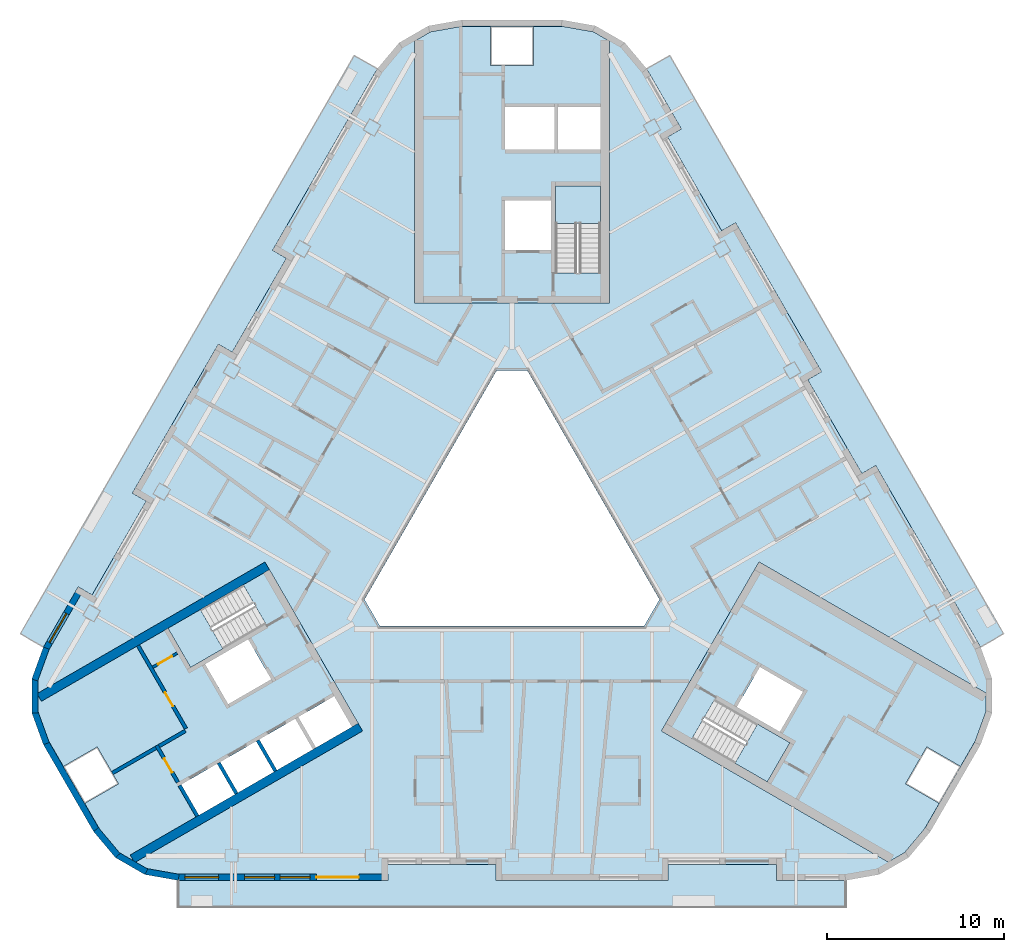
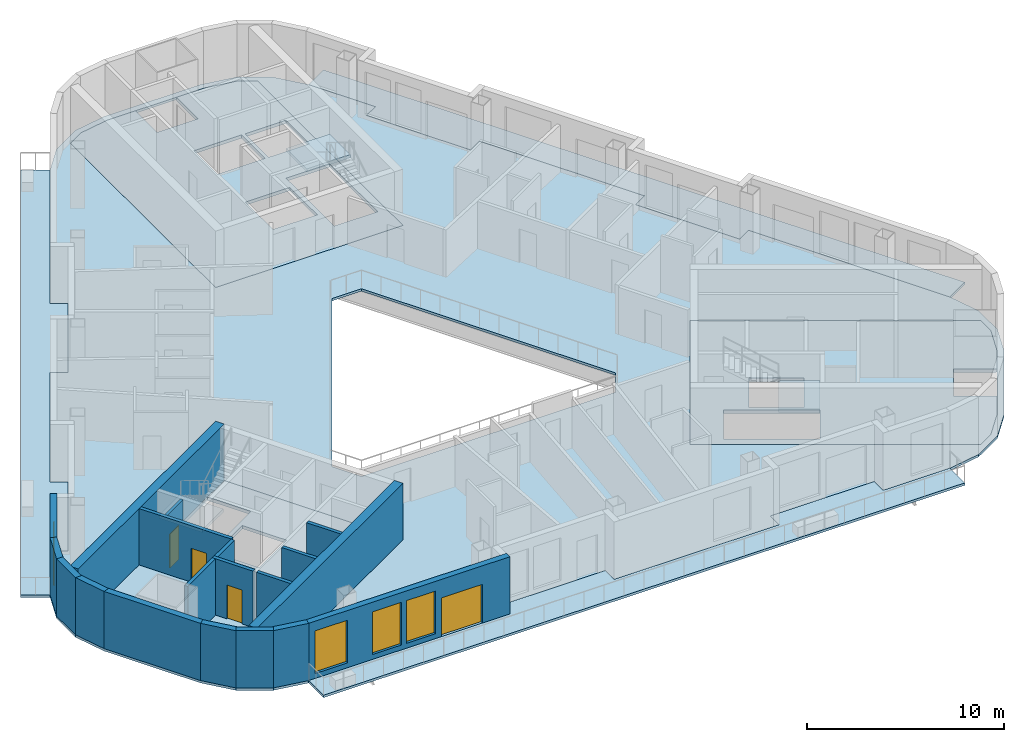
# One storey, part 2 of 14: 19 walls, 10 slabs, 4 doors, 4 windows, 8 openings, 3 elements without a shape of their own.
"""IFC4 building model written with IfcOpenShell, lengths in metres."""

from ifc_helpers import new_model, si_unit, direction, frame, frame_2d, origin, place, context, subcontext, project, spatial, polyline, rectangle, outline, extrude, material, layer, layer_set, type_object, element, fill, aggregate, save


model = new_model("IFC4")

# Units and contexts
model_context = context("Model", 3, precision=1e-05, world=origin(), true_north=direction((0.0, 1.0)))
body_context = subcontext(model_context, "Body", "Model", "MODEL_VIEW")
ifc_project = project(units=[si_unit("LENGTHUNIT", "METRE"), si_unit("AREAUNIT", "SQUARE_METRE"), si_unit("VOLUMEUNIT", "CUBIC_METRE"), si_unit("PLANEANGLEUNIT", "RADIAN"), si_unit("MASSUNIT", "GRAM", prefix="KILO")], contexts=[model_context])

# Site, building, storey
site_placement = place(None, origin())
site = spatial("IfcSite", under=ifc_project, at=site_placement, CompositionType="ELEMENT")
building_placement = place(site_placement, origin())
building = spatial("IfcBuilding", under=site, at=building_placement, Name="Apuvela Tower Hotel", CompositionType="ELEMENT")
storey_placement = place(building_placement, frame((0.0, 0.0, 205.800048828125)))
storey = spatial("IfcBuildingStorey", under=building, at=storey_placement, Name="L50", CompositionType="ELEMENT", Elevation=205.800048828125)

# Slabs
ifc_material_1 = material(Name="Concrete C50/60", Category="concrete")
ifc_layer_1 = layer(ifc_material_1, 0.199951171875)
ifc_layer_set_1 = layer_set([ifc_layer_1], Name="COR-FLOOR-200")
slab_type_1 = type_object("IfcSlabType", Name="COR-FLOOR-200", PredefinedType="FLOOR", material=ifc_layer_set_1)
slab_1_placement = place(storey_placement, frame((0.0, 0.0, -0.199951171875)))
element("IfcSlab", 1, at=slab_1_placement, inside=storey, type_object=slab_type_1, Name="Core floor N", PredefinedType="FLOOR", context=body_context, shape_type="SweptSolid", body=[
    extrude(outline(polyline([(5.5, 27.668212890625), (4.588623046875, 28.1943359375), (2.85498046875, 28.5), (1.199951171875, 28.5), (1.199951171875, 26.300048828125), (-1.199951171875, 26.300048828125), (-1.199951171875, 28.5), (-2.85498046875, 28.5), (-4.588623046875, 28.1943359375), (-5.5, 27.668212890625), (-5.5, 12.89990234375), (5.5, 12.89990234375), (5.5, 27.668212890625)]), holes=[polyline([(5.0, 14.60595703125), (2.449951171875, 14.60595703125), (2.449951171875, 19.5), (5.0, 19.5), (5.0, 14.60595703125)]), polyline([(2.199951171875, 15.89990234375), (-0.39990234375, 15.89990234375), (-0.39990234375, 18.699951171875), (2.199951171875, 18.699951171875), (2.199951171875, 15.89990234375)]), polyline([(5.0, 21.550048828125), (2.60009765625, 21.550048828125), (2.60009765625, 23.949951171875), (5.0, 23.949951171875), (5.0, 21.550048828125)]), polyline([(2.39990234375, 21.550048828125), (-0.39990234375, 21.550048828125), (-0.39990234375, 23.949951171875), (2.39990234375, 23.949951171875), (2.39990234375, 21.550048828125)])]), origin(), (0.0, 0.0, 1.0), 0.199951171875),
])
slab_2_placement = place(storey_placement, frame((0.0, 0.0, -0.199951171875)))
element("IfcSlab", 2, at=slab_2_placement, inside=storey, type_object=slab_type_1, Name="Core floor SW", PredefinedType="FLOOR", context=body_context, shape_type="SweptSolid", body=[
    extrude(outline(polyline([(-26.711181640625, -9.07080078125), (-26.711181640625, -10.123291015625), (-26.109375, -11.77734375), (-25.28173828125, -13.210693359375), (-23.37646484375, -12.11083984375), (-22.176513671875, -14.189208984375), (-24.081787109375, -15.289306640625), (-23.254150390625, -16.72265625), (-22.122802734375, -18.071044921875), (-21.211181640625, -18.59716796875), (-8.421630859375, -11.213134765625), (-13.921630859375, -1.68701171875), (-26.711181640625, -9.07080078125)]), holes=[polyline([(-10.01806640625, -9.248046875), (-9.01806640625, -10.97998046875), (-11.044677734375, -12.150146484375), (-12.044677734375, -10.418212890625), (-10.01806640625, -9.248046875)]), polyline([(-14.244384765625, -11.68798828125), (-12.2177734375, -10.51806640625), (-11.2177734375, -12.25), (-13.244384765625, -13.420166015625), (-14.244384765625, -11.68798828125)]), polyline([(-19.387451171875, -5.419921875), (-15.149169921875, -2.972900390625), (-13.874267578125, -5.18115234375), (-18.112548828125, -7.628173828125), (-19.387451171875, -5.419921875)]), polyline([(-14.869873046875, -6.044677734375), (-13.56982421875, -8.29638671875), (-15.99462890625, -9.6962890625), (-17.294677734375, -7.444580078125), (-14.869873046875, -6.044677734375)]), polyline([(-16.444091796875, -12.9580078125), (-14.41748046875, -11.7880859375), (-13.41748046875, -13.52001953125), (-15.444091796875, -14.690185546875), (-16.444091796875, -12.9580078125)]), polyline([(-18.643798828125, -14.22802734375), (-16.6171875, -13.05810546875), (-15.6171875, -14.7900390625), (-17.643798828125, -15.960205078125), (-18.643798828125, -14.22802734375)])]), origin(), (0.0, 0.0, 1.0), 0.199951171875),
])
slab_3_placement = place(storey_placement, frame((0.0, 0.0, -0.199951171875)))
element("IfcSlab", 3, at=slab_3_placement, inside=storey, type_object=slab_type_1, Name="Core floor SE", PredefinedType="FLOOR", context=body_context, shape_type="SweptSolid", body=[
    extrude(outline(polyline([(21.211181640625, -18.59716796875), (22.122802734375, -18.071044921875), (23.254150390625, -16.72265625), (24.081787109375, -15.289306640625), (22.176513671875, -14.189208984375), (23.37646484375, -12.11083984375), (25.28173828125, -13.210693359375), (26.109375, -11.77734375), (26.711181640625, -10.123291015625), (26.711181640625, -9.07080078125), (13.921630859375, -1.68701171875), (8.421630859375, -11.213134765625), (21.211181640625, -18.59716796875)]), holes=[polyline([(11.42431640625, -9.4248046875), (15.66259765625, -11.871826171875), (14.387451171875, -14.080078125), (10.149169921875, -11.633056640625), (11.42431640625, -9.4248046875)]), polyline([(13.9697265625, -7.603515625), (16.394775390625, -9.003662109375), (15.0947265625, -11.25537109375), (12.669921875, -9.855224609375), (13.9697265625, -7.603515625)])]), origin(), (0.0, 0.0, 1.0), 0.199951171875),
])

# Stair, slab
stair_type = type_object("IfcStairType", Name="COR-STAIR-22R", PredefinedType="HALF_TURN_STAIR", material=ifc_material_1)
stair_1_placement = place(storey_placement, origin())
stair_1 = element("IfcStair", 4, at=stair_1_placement, inside=storey, type_object=stair_type, Name="L50 Exit stair ST1", PredefinedType="HALF_TURN_STAIR")
ifc_layer_2 = layer(ifc_material_1, 0.199951171875)
ifc_layer_set_2 = layer_set([ifc_layer_2], Name="COR-LANDING-200")
slab_type_2 = type_object("IfcSlabType", Name="COR-LANDING-200", PredefinedType="LANDING", material=ifc_layer_set_2)
slab_4_placement = place(storey_placement, frame((0.0, 0.0, 1.64990234375)))
slab_4 = element("IfcSlab", 5, at=slab_4_placement, type_object=slab_type_2, Name="ST1 landing 1", PredefinedType="LANDING", context=body_context, shape_type="SweptSolid", body=[
    extrude(outline(polyline([(5.0, 17.39404296875), (5.0, 19.5), (2.449951171875, 19.5), (2.449951171875, 17.39404296875), (5.0, 17.39404296875)])), origin(), (0.0, 0.0, 1.0), 0.199951171875),
])
aggregate(stair_1, [slab_4])

stair_2_placement = place(storey_placement, origin())
stair_2 = element("IfcStair", 6, at=stair_2_placement, inside=storey, type_object=stair_type, Name="L50 Exit stair ST2", PredefinedType="HALF_TURN_STAIR")
slab_5_placement = place(storey_placement, frame((0.0, 0.0, 1.64990234375)))
slab_5 = element("IfcSlab", 7, at=slab_5_placement, type_object=slab_type_2, Name="ST2 landing 1", PredefinedType="LANDING", context=body_context, shape_type="SweptSolid", body=[
    extrude(outline(polyline([(-17.563720703125, -4.366943359375), (-19.387451171875, -5.419921875), (-18.112548828125, -7.628173828125), (-16.28857421875, -6.5751953125), (-17.563720703125, -4.366943359375)])), origin(), (0.0, 0.0, 1.0), 0.199951171875),
])
aggregate(stair_2, [slab_5])

stair_3_placement = place(storey_placement, origin())
stair_3 = element("IfcStair", 8, at=stair_3_placement, inside=storey, type_object=stair_type, Name="L50 Exit stair ST3", PredefinedType="HALF_TURN_STAIR")
slab_6_placement = place(storey_placement, frame((0.0, 0.0, 1.64990234375)))
slab_6 = element("IfcSlab", 9, at=slab_6_placement, type_object=slab_type_2, Name="ST3 landing 1", PredefinedType="LANDING", context=body_context, shape_type="SweptSolid", body=[
    extrude(outline(polyline([(12.563720703125, -13.027099609375), (14.387451171875, -14.080078125), (15.66259765625, -11.871826171875), (13.838623046875, -10.81884765625), (12.563720703125, -13.027099609375)])), origin(), (0.0, 0.0, 1.0), 0.199951171875),
])
aggregate(stair_3, [slab_6])

# Slabs
ifc_material_2 = material(Name="Concrete C40/50, fair-faced", Category="concrete")
ifc_layer_3 = layer(ifc_material_2, 0.14990234375)
ifc_layer_set_3 = layer_set([ifc_layer_3], Name="ENV-BALCONY-150")
slab_type_3 = type_object("IfcSlabType", Name="ENV-BALCONY-150", PredefinedType="FLOOR", material=ifc_layer_set_3)
slab_7_placement = place(storey_placement, frame((0.0, 0.0, -0.150146484375)))
element("IfcSlab", 10, at=slab_7_placement, inside=storey, type_object=slab_type_3, Name="Balcony slab S L50", PredefinedType="FLOOR", context=body_context, shape_type="SweptSolid", body=[
    extrude(outline(polyline([(18.82080078125, -21.135009765625), (-18.82080078125, -21.135009765625), (-18.82080078125, -19.625), (-7.0048828125, -19.625), (-7.0048828125, -18.72509765625), (-0.89501953125, -18.72509765625), (-0.89501953125, -19.625), (8.794921875, -19.625), (8.794921875, -18.72509765625), (14.905029296875, -18.72509765625), (14.905029296875, -19.625), (18.82080078125, -19.625), (18.82080078125, -21.135009765625)])), origin(), (0.0, 0.0, 1.0), 0.150146484375),
])
slab_8_placement = place(storey_placement, frame((0.0, 0.0, -0.150146484375)))
element("IfcSlab", 11, at=slab_8_placement, inside=storey, type_object=slab_type_3, Name="Balcony slab NE L50", PredefinedType="FLOOR", context=body_context, shape_type="SweptSolid", body=[
    extrude(outline(polyline([(17.443359375, 9.037353515625), (12.598388671875, 17.42919921875), (11.81884765625, 16.979248046875), (8.763916015625, 22.2705078125), (9.543212890625, 22.720703125), (7.585205078125, 26.11181640625), (8.89306640625, 26.86669921875), (27.7138671875, -5.731689453125), (26.40625, -6.48681640625), (20.498291015625, 3.74609375), (19.71875, 3.2958984375), (16.663818359375, 8.58740234375), (17.443359375, 9.037353515625)])), origin(), (0.0, 0.0, 1.0), 0.150146484375),
])
slab_9_placement = place(storey_placement, frame((0.0, 0.0, -0.150146484375)))
element("IfcSlab", 12, at=slab_9_placement, inside=storey, type_object=slab_type_3, Name="Balcony slab NW L50", PredefinedType="FLOOR", context=body_context, shape_type="SweptSolid", body=[
    extrude(outline(polyline([(-27.7138671875, -5.731689453125), (-8.89306640625, 26.86669921875), (-7.585205078125, 26.11181640625), (-13.4931640625, 15.87890625), (-12.7138671875, 15.428955078125), (-15.768798828125, 10.1376953125), (-16.548095703125, 10.587646484375), (-21.393310546875, 2.19580078125), (-20.61376953125, 1.745849609375), (-23.668701171875, -3.545654296875), (-24.4482421875, -3.095703125), (-26.40625, -6.48681640625), (-27.7138671875, -5.731689453125)])), origin(), (0.0, 0.0, 1.0), 0.150146484375),
])
ifc_material_3 = material(Name="Concrete C35/45", Category="concrete")
ifc_layer_4 = layer(ifc_material_3, 0.14990234375)
ifc_layer_set_4 = layer_set([ifc_layer_4], Name="STR-SLAB 150 floor Concrete C35/45")
slab_type_4 = type_object("IfcSlabType", Name="STR-SLAB 150 floor Concrete C35/45", PredefinedType="FLOOR", material=ifc_layer_set_4)
slab_10_placement = place(storey_placement, frame((0.0, 0.0, -0.150146484375)))
element("IfcSlab", 13, at=slab_10_placement, inside=storey, type_object=slab_type_4, Name="Floor slab S4 L50", PredefinedType="FLOOR", context=body_context, shape_type="SweptSolid", body=[
    extrude(outline(polyline([(-6.3642578125, 27.5732421875), (-4.710205078125, 28.5283203125), (-2.8291015625, 28.860107421875), (2.8291015625, 28.860107421875), (4.710205078125, 28.5283203125), (6.3642578125, 27.5732421875), (7.59228515625, 26.110107421875), (9.550048828125, 22.71875), (8.770751953125, 22.268798828125), (11.82080078125, 16.986083984375), (12.60009765625, 17.43603515625), (17.4501953125, 9.035400390625), (16.670654296875, 8.58544921875), (19.720703125, 3.302734375), (20.5, 3.752685546875), (26.407958984375, -6.47998046875), (27.061279296875, -8.27490234375), (27.061279296875, -10.18505859375), (26.407958984375, -11.97998046875), (23.5791015625, -16.8798828125), (22.351318359375, -18.34326171875), (20.697021484375, -19.29833984375), (18.81591796875, -19.6298828125), (14.89990234375, -19.6298828125), (14.89990234375, -18.72998046875), (8.800048828125, -18.72998046875), (8.800048828125, -19.6298828125), (-0.89990234375, -19.6298828125), (-0.89990234375, -18.72998046875), (-7.0, -18.72998046875), (-7.0, -19.6298828125), (-18.81591796875, -19.6298828125), (-20.697021484375, -19.29833984375), (-22.351318359375, -18.34326171875), (-23.5791015625, -16.8798828125), (-26.407958984375, -11.97998046875), (-27.061279296875, -10.18505859375), (-27.061279296875, -8.27490234375), (-26.407958984375, -6.47998046875), (-24.4501953125, -3.088623046875), (-23.670654296875, -3.538818359375), (-20.62060546875, 1.743896484375), (-21.400146484375, 2.194091796875), (-16.550048828125, 10.594482421875), (-15.7705078125, 10.14453125), (-12.720703125, 15.42724609375), (-13.5, 15.877197265625), (-7.59228515625, 26.110107421875), (-6.3642578125, 27.5732421875)]), holes=[polyline([(0.865966796875, 9.10009765625), (-0.865966796875, 9.10009765625), (-8.313720703125, -3.800048828125), (-7.44775390625, -5.300048828125), (7.44775390625, -5.300048828125), (8.313720703125, -3.800048828125), (0.865966796875, 9.10009765625)]), polyline([(-5.5, 12.89990234375), (-5.5, 27.668212890625), (-4.588623046875, 28.1943359375), (-2.85498046875, 28.5), (2.85498046875, 28.5), (4.588623046875, 28.1943359375), (5.5, 27.668212890625), (5.5, 12.89990234375), (-5.5, 12.89990234375)]), polyline([(-8.421630859375, -11.213134765625), (-21.211181640625, -18.59716796875), (-22.122802734375, -18.071044921875), (-23.254150390625, -16.72265625), (-26.109375, -11.77734375), (-26.711181640625, -10.123291015625), (-26.711181640625, -9.07080078125), (-13.921630859375, -1.68701171875), (-8.421630859375, -11.213134765625)]), polyline([(13.921630859375, -1.68701171875), (26.711181640625, -9.07080078125), (26.711181640625, -10.123291015625), (26.109375, -11.77734375), (23.254150390625, -16.72265625), (22.122802734375, -18.071044921875), (21.211181640625, -18.59716796875), (8.421630859375, -11.213134765625), (13.921630859375, -1.68701171875)])]), origin(), (0.0, 0.0, 1.0), 0.150146484375),
])

# Walls
ifc_layer_5 = layer(ifc_material_1, 0.5)
ifc_layer_set_5 = layer_set([ifc_layer_5], Name="COR-WALL-CORE-500")
wall_type_1 = type_object("IfcWallType", Name="COR-WALL-CORE-500", PredefinedType="SHEAR", material=ifc_layer_set_5)
for number, where, z_axis, x_axis, name in (
    (14, (-13.796630859375, -1.9033203125, 0.0), (0.0, 0.0, 1.0), (-0.866025009528, -0.500000682871, 0.0), "Core wall SW"),
    (15, (-8.546630859375, -10.99658203125, 0.0), (0.0, 0.0, 1.0), (-0.866025009528, -0.500000682871, 0.0), "Core wall SW"),
):
    element("IfcWall", number, at=place(storey_placement, frame(where, z_axis=z_axis, x_axis=x_axis)), inside=storey, type_object=wall_type_1, Name=name, PredefinedType="SHEAR", context=body_context, shape_type="SweptSolid", body=[
        extrude(rectangle(XDim=14.8369140625, YDim=0.5, at=frame_2d((7.41845703125, 0.0))), origin(), (0.0, 0.0, 1.0), 3.5),
    ])

# Wall, opening, door
ifc_material_4 = material(Name="Blockwork 150 mm plastered", Category="masonry")
ifc_layer_6 = layer(ifc_material_4, 0.14990234375)
ifc_layer_set_6 = layer_set([ifc_layer_6], Name="COR-WALL-PART-150")
wall_type_2 = type_object("IfcWallType", Name="COR-WALL-PART-150", PredefinedType="PARTITIONING", material=ifc_layer_set_6)
wall_1_placement = place(storey_placement, frame((-18.866455078125, -6.822265625, 0.0), z_axis=(0.0, 0.0, 1.0), x_axis=(-0.866028054938, -0.499995408039, 0.0)))
wall_1 = element("IfcWall", 16, at=wall_1_placement, inside=storey, type_object=wall_type_2, Name="Partition SW", PredefinedType="PARTITIONING", context=body_context, shape_type="SweptSolid", body=[
    extrude(rectangle(XDim=1.60009765625, YDim=0.14990234375, at=frame_2d((0.800048828125, 0.0))), origin(), (0.0, 0.0, 1.0), 3.5),
])
opening_1_placement = place(wall_1_placement, frame((0.35009765625, 0.0, 0.0)))
opening_1 = element("IfcOpeningElement", 17, at=opening_1_placement, cuts=wall_1, Name="Opening W-RD", PredefinedType="OPENING", context=body_context, shape_type="SweptSolid", body=[
    extrude(rectangle(XDim=0.89990234375, YDim=2.10009765625, at=frame_2d((0.449951171875, 1.050048828125))), frame((0.0, 0.0849609375, 0.0), z_axis=(0.0, -1.0, 0.0), x_axis=(1.0, 0.0, 0.0)), (0.0, 0.0, 1.0), 0.169921875),
])
ifc_material_5 = material(Name="Steel access door, powder coated", Category="steel")
door_type_1 = type_object("IfcDoorType", Name="COR-RD-900", OperationType="NOTDEFINED", PredefinedType="DOOR", material=ifc_material_5)
door_1_placement = place(opening_1_placement, frame((0.89990234375, 0.0, 0.0), z_axis=(0.0, 0.0, 1.0), x_axis=(-1.0, 0.0, 0.0)))
door_1 = element("IfcDoor", 18, at=door_1_placement, inside=storey, type_object=door_type_1, Name="Riser door W-RD", OperationType="SINGLE_SWING_RIGHT", OverallHeight=2.10009765625, OverallWidth=0.89990234375, PredefinedType="DOOR", context=body_context, shape_type="SweptSolid", body=[
    extrude(rectangle(XDim=0.89990234375, YDim=2.10009765625, at=frame_2d((0.449951171875, 1.050048828125))), frame((0.0, 0.02490234375, 0.0), z_axis=(0.0, -1.0, 0.0), x_axis=(1.0, 0.0, 0.0)), (0.0, 0.0, 1.0), 0.050048828125),
])
fill(opening_1, door_1)

ifc_material_6 = material(Name="Blockwork 200 mm plastered", Category="masonry")
ifc_layer_7 = layer(ifc_material_6, 0.199951171875)
ifc_layer_set_7 = layer_set([ifc_layer_7], Name="COR-WALL-PART-200")
wall_type_3 = type_object("IfcWallType", Name="COR-WALL-PART-200", PredefinedType="PARTITIONING", material=ifc_layer_set_7)
wall_2_placement = place(storey_placement, frame((-21.076171875, -6.39501953125, 0.0), z_axis=(0.0, 0.0, 1.0), x_axis=(0.50001468107, -0.866016927499, 0.0)))
wall_2 = element("IfcWall", 19, at=wall_2_placement, inside=storey, type_object=wall_type_3, Name="Partition SW", PredefinedType="PARTITIONING", context=body_context, shape_type="SweptSolid", body=[
    extrude(rectangle(XDim=5.399658203125, YDim=0.199951171875, at=frame_2d((2.69970703125, 0.0))), origin(), (0.0, 0.0, 1.0), 3.5),
])
opening_2_placement = place(wall_2_placement, frame((3.050048828125, 0.0, 0.0)))
opening_2 = element("IfcOpeningElement", 20, at=opening_2_placement, cuts=wall_2, Name="Opening W-RS1", PredefinedType="OPENING", context=body_context, shape_type="SweptSolid", body=[
    extrude(rectangle(XDim=0.89990234375, YDim=2.10009765625, at=frame_2d((0.449951171875, 1.050048828125))), frame((0.0, 0.10986328125, 0.0), z_axis=(0.0, -1.0, 0.0), x_axis=(1.0, 0.0, 0.0)), (0.0, 0.0, 1.0), 0.219970703125),
])
ifc_material_7 = material(Name="Steel fire door, powder coated", Category="steel")
door_type_2 = type_object("IfcDoorType", Name="COR-DR-900", OperationType="NOTDEFINED", PredefinedType="DOOR", material=ifc_material_7)
door_2_placement = place(opening_2_placement, frame((0.89990234375, 0.0, 0.0), z_axis=(0.0, 0.0, 1.0), x_axis=(-1.0, 0.0, 0.0)))
door_2 = element("IfcDoor", 21, at=door_2_placement, inside=storey, type_object=door_type_2, Name="Store door W-RS1", OperationType="SINGLE_SWING_LEFT", OverallHeight=2.10009765625, OverallWidth=0.89990234375, PredefinedType="DOOR", context=body_context, shape_type="SweptSolid", body=[
    extrude(rectangle(XDim=0.89990234375, YDim=2.10009765625, at=frame_2d((0.449951171875, 1.050048828125))), frame((0.0, 0.02490234375, 0.0), z_axis=(0.0, -1.0, 0.0), x_axis=(1.0, 0.0, 0.0)), (0.0, 0.0, 1.0), 0.050048828125),
])
fill(opening_2, door_2)

ifc_layer_8 = layer(ifc_material_1, 0.199951171875)
ifc_layer_set_8 = layer_set([ifc_layer_8], Name="COR-WALL-SHAFT-200")
wall_type_4 = type_object("IfcWallType", Name="COR-WALL-SHAFT-200", PredefinedType="SHEAR", material=ifc_layer_set_8)
wall_3_placement = place(storey_placement, frame((-20.030517578125, -12.0263671875, 0.0), z_axis=(0.0, 0.0, 1.0), x_axis=(0.500033551112, -0.866006032174, 0.0)))
wall_3 = element("IfcWall", 22, at=wall_3_placement, inside=storey, type_object=wall_type_4, Name="Shaft wall SW", PredefinedType="SHEAR", context=body_context, shape_type="SweptSolid", body=[
    extrude(rectangle(XDim=2.400146484375, YDim=0.199951171875, at=frame_2d((1.2001953125, 0.0))), origin(), (0.0, 0.0, 1.0), 3.5),
])
opening_3_placement = place(wall_3_placement, frame((0.85009765625, 0.0, 0.0)))
opening_3 = element("IfcOpeningElement", 23, at=opening_3_placement, cuts=wall_3, Name="Opening W-REP", PredefinedType="OPENING", context=body_context, shape_type="SweptSolid", body=[
    extrude(rectangle(XDim=0.89990234375, YDim=2.10009765625, at=frame_2d((0.449951171875, 1.050048828125))), frame((0.0, 0.10986328125, 0.0), z_axis=(0.0, -1.0, 0.0), x_axis=(1.0, 0.0, 0.0)), (0.0, 0.0, 1.0), 0.219970703125),
])
door_3_placement = place(opening_3_placement, frame((0.89990234375, 0.0, 0.0), z_axis=(0.0, 0.0, 1.0), x_axis=(-1.0, 0.0, 0.0)))
door_3 = element("IfcDoor", 24, at=door_3_placement, inside=storey, type_object=door_type_2, Name="Store door W-REP", OperationType="SINGLE_SWING_LEFT", OverallHeight=2.10009765625, OverallWidth=0.89990234375, PredefinedType="DOOR", context=body_context, shape_type="SweptSolid", body=[
    extrude(rectangle(XDim=0.89990234375, YDim=2.10009765625, at=frame_2d((0.449951171875, 1.050048828125))), frame((0.0, 0.02490234375, 0.0), z_axis=(0.0, -1.0, 0.0), x_axis=(1.0, 0.0, 0.0)), (0.0, 0.0, 1.0), 0.050048828125),
])
fill(opening_3, door_3)

# Walls
wall_4_placement = place(storey_placement, frame((-18.412841796875, -11.2080078125, 0.0), z_axis=(0.0, 0.0, 1.0), x_axis=(-0.866038183914, -0.499977863513, 0.0)))
element("IfcWall", 25, at=wall_4_placement, inside=storey, type_object=wall_type_4, Name="Shaft wall SW", PredefinedType="SHEAR", context=body_context, shape_type="SweptSolid", body=[
    extrude(rectangle(XDim=1.7099609375, YDim=0.199951171875, at=frame_2d((0.85498046875, 0.0))), origin(), (0.0, 0.0, 1.0), 3.5),
])
for number, where, z_axis, x_axis, name in (
    (26, (-14.330810546875, -11.738037109375, 0.0), (0.0, 0.0, 1.0), (0.499972520799, -0.866041268327, 0.0), "Shaft wall SW"),
    (27, (-16.530517578125, -13.008056640625, 0.0), (0.0, 0.0, 1.0), (0.50002537861, -0.866010750942, 0.0), "Shaft wall SW"),
    (28, (-18.73046875, -14.278076171875, 0.0), (0.0, 0.0, 1.0), (0.50002537861, -0.866010750942, 0.0), "Shaft wall SW"),
):
    element("IfcWall", number, at=place(storey_placement, frame(where, z_axis=z_axis, x_axis=x_axis)), inside=storey, type_object=wall_type_4, Name=name, PredefinedType="SHEAR", context=body_context, shape_type="SweptSolid", body=[
        extrude(rectangle(XDim=2.0, YDim=0.199951171875, at=frame_2d((1.0, 0.0))), origin(), (0.0, 0.0, 1.0), 3.5),
    ])
wall_5_placement = place(storey_placement, frame((-20.06689453125, -12.1630859375, 0.0), z_axis=(0.0, 0.0, 1.0), x_axis=(-0.866055327414, -0.49994816717, 0.0)))
element("IfcWall", 29, at=wall_5_placement, inside=storey, type_object=wall_type_4, Name="Shaft wall SW", PredefinedType="SHEAR", context=body_context, shape_type="SweptSolid", body=[
    extrude(rectangle(XDim=2.840087890625, YDim=0.199951171875, at=frame_2d((1.419921875, 0.0))), origin(), (0.0, 0.0, 1.0), 3.5),
])

# Wall, opening, window
ifc_material_8 = material(Name="Concrete C40/50, dark pigmented precast panel", Category="concrete")
ifc_layer_9 = layer(ifc_material_8, 0.35009765625)
ifc_layer_set_9 = layer_set([ifc_layer_9], Name="ENV-WALL-350")
wall_type_5 = type_object("IfcWallType", Name="ENV-WALL-350", PredefinedType="SOLIDWALL", material=ifc_layer_set_9)
wall_6_placement = place(storey_placement, frame((-24.298583984375, -3.17626953125, 0.0), z_axis=(0.0, 0.0, 1.0), x_axis=(-0.500028278809, -0.866009076391, 0.0)))
wall_6 = element("IfcWall", 30, at=wall_6_placement, inside=storey, type_object=wall_type_5, Name="External wall L50-09", PredefinedType="SOLIDWALL", context=body_context, shape_type="SweptSolid", body=[
    extrude(rectangle(XDim=3.915771484375, YDim=0.35009765625, at=frame_2d((1.9580078125, 0.0))), origin(), (0.0, 0.0, 1.0), 3.550048828125),
])
opening_4_placement = place(wall_6_placement, frame((1.625, 0.0, 0.300048828125)))
opening_4 = element("IfcOpeningElement", 31, at=opening_4_placement, cuts=wall_6, Name="Opening WN19", PredefinedType="OPENING", context=body_context, shape_type="SweptSolid", body=[
    extrude(rectangle(XDim=1.89990234375, YDim=2.64990234375, at=frame_2d((0.949951171875, 1.324951171875))), frame((0.0, 0.18505859375, 0.0), z_axis=(0.0, -1.0, 0.0), x_axis=(1.0, 0.0, 0.0)), (0.0, 0.0, 1.0), 0.3701171875),
])
ifc_material_9 = material(Name="Glass, dark tinted laminated insulated glazing unit", Category="glass")
window_type_1 = type_object("IfcWindowType", Name="ENV-WIN-1900x2650", PartitioningType="SINGLE_PANEL", PredefinedType="WINDOW", material=ifc_material_9)
window_1_placement = place(opening_4_placement, origin())
window_1 = element("IfcWindow", 32, at=window_1_placement, inside=storey, type_object=window_type_1, Name="Window WN19", OverallHeight=2.64990234375, OverallWidth=1.89990234375, PartitioningType="SINGLE_PANEL", PredefinedType="WINDOW", context=body_context, shape_type="SweptSolid", body=[
    extrude(rectangle(XDim=1.89990234375, YDim=2.64990234375, at=frame_2d((0.949951171875, 1.324951171875))), frame((0.0, 0.030029296875, 0.0), z_axis=(0.0, -1.0, 0.0), x_axis=(1.0, 0.0, 0.0)), (0.0, 0.0, 1.0), 0.06005859375),
])
fill(opening_4, window_1)

# Walls
for number, where, z_axis, x_axis, name in (
    (33, (-26.24365234375, -6.539794921875, 0.0), (0.0, 0.0, 1.0), (-0.342030395486, -0.939688889242, 0.0), "External wall L50-10"),
    (34, (-26.88623046875, -8.27490234375, 0.0), (0.0, 0.0, 1.0), (0.0, -1.0, 0.0), "External wall L50-11"),
    (35, (-26.89697265625, -10.125244140625, 0.0), (0.0, 0.0, 1.0), (0.342030395486, -0.939688889242, 0.0), "External wall L50-12"),
):
    element("IfcWall", number, at=place(storey_placement, frame(where, z_axis=z_axis, x_axis=x_axis)), inside=storey, type_object=wall_type_5, Name=name, PredefinedType="SOLIDWALL", context=body_context, shape_type="SweptSolid", body=[
        extrude(rectangle(XDim=1.91015625, YDim=0.35009765625, at=frame_2d((0.955078125, 0.0))), origin(), (0.0, 0.0, 1.0), 3.550048828125),
    ])
wall_7_placement = place(storey_placement, frame((-26.256591796875, -11.892578125, 0.0), z_axis=(0.0, 0.0, 1.0), x_axis=(0.500018773155, -0.866014564827, 0.0)))
element("IfcWall", 36, at=wall_7_placement, inside=storey, type_object=wall_type_5, Name="External wall L50-13", PredefinedType="SOLIDWALL", context=body_context, shape_type="SweptSolid", body=[
    extrude(rectangle(XDim=5.657958984375, YDim=0.35009765625, at=frame_2d((2.8291015625, 0.0))), origin(), (0.0, 0.0, 1.0), 3.550048828125),
])
for number, where, z_axis, x_axis, name in (
    (37, (-23.44482421875, -16.767578125, 0.0), (0.0, 0.0, 1.0), (0.642733291068, -0.76609001857, 0.0), "External wall L50-14"),
    (38, (-22.263671875, -18.191650390625, 0.0), (0.0, 0.0, 1.0), (0.866000389056, -0.500043324278, 0.0), "External wall L50-15"),
):
    element("IfcWall", number, at=place(storey_placement, frame(where, z_axis=z_axis, x_axis=x_axis)), inside=storey, type_object=wall_type_5, Name=name, PredefinedType="SOLIDWALL", context=body_context, shape_type="SweptSolid", body=[
        extrude(rectangle(XDim=1.909912109375, YDim=0.35009765625, at=frame_2d((0.955078125, 0.0))), origin(), (0.0, 0.0, 1.0), 3.550048828125),
    ])
wall_8_placement = place(storey_placement, frame((-20.66650390625, -19.1259765625, 0.0), z_axis=(0.0, 0.0, 1.0), x_axis=(0.984798995425, -0.173697837091, 0.0)))
element("IfcWall", 39, at=wall_8_placement, inside=storey, type_object=wall_type_5, Name="External wall L50-16", PredefinedType="SOLIDWALL", context=body_context, shape_type="SweptSolid", body=[
    extrude(rectangle(XDim=1.91015625, YDim=0.35009765625, at=frame_2d((0.955078125, 0.0))), origin(), (0.0, 0.0, 1.0), 3.550048828125),
])

# Wall, openings, door, windows
wall_9_placement = place(storey_placement, frame((-18.81591796875, -19.455078125, 0.0), z_axis=(0.0, 0.0, 1.0), x_axis=(1.0, 0.0, 0.0)))
wall_9 = element("IfcWall", 40, at=wall_9_placement, inside=storey, type_object=wall_type_5, Name="External wall L50-17", PredefinedType="SOLIDWALL", context=body_context, shape_type="SweptSolid", body=[
    extrude(rectangle(XDim=11.81591796875, YDim=0.35009765625, at=frame_2d((5.907958984375, 0.0))), origin(), (0.0, 0.0, 1.0), 3.550048828125),
])
opening_5_placement = place(wall_9_placement, frame((0.380615234375, 0.0, 0.300048828125)))
opening_5 = element("IfcOpeningElement", 41, at=opening_5_placement, cuts=wall_9, Name="Opening WN19", PredefinedType="OPENING", context=body_context, shape_type="SweptSolid", body=[
    extrude(rectangle(XDim=1.89990234375, YDim=2.64990234375, at=frame_2d((0.949951171875, 1.324951171875))), frame((0.0, 0.18505859375, 0.0), z_axis=(0.0, -1.0, 0.0), x_axis=(1.0, 0.0, 0.0)), (0.0, 0.0, 1.0), 0.3701171875),
])
opening_6_placement = place(wall_9_placement, frame((7.790283203125, 0.0, 0.0)))
opening_6 = element("IfcOpeningElement", 42, at=opening_6_placement, cuts=wall_9, Name="Opening BD24", PredefinedType="OPENING", context=body_context, shape_type="SweptSolid", body=[
    extrude(rectangle(XDim=2.39990234375, YDim=2.39990234375, at=frame_2d((1.199951171875, 1.199951171875))), frame((0.0, 0.18505859375, 0.0), z_axis=(0.0, -1.0, 0.0), x_axis=(1.0, 0.0, 0.0)), (0.0, 0.0, 1.0), 0.3701171875),
])
opening_7_placement = place(wall_9_placement, frame((3.740966796875, 0.0, 0.300048828125)))
opening_7 = element("IfcOpeningElement", 43, at=opening_7_placement, cuts=wall_9, Name="Opening WN17", PredefinedType="OPENING", context=body_context, shape_type="SweptSolid", body=[
    extrude(rectangle(XDim=1.699951171875, YDim=2.64990234375, at=frame_2d((0.85009765625, 1.324951171875))), frame((0.0, 0.18505859375, 0.0), z_axis=(0.0, -1.0, 0.0), x_axis=(1.0, 0.0, 0.0)), (0.0, 0.0, 1.0), 0.3701171875),
])
opening_8_placement = place(wall_9_placement, frame((5.740966796875, 0.0, 0.300048828125)))
opening_8 = element("IfcOpeningElement", 44, at=opening_8_placement, cuts=wall_9, Name="Opening WN17", PredefinedType="OPENING", context=body_context, shape_type="SweptSolid", body=[
    extrude(rectangle(XDim=1.699951171875, YDim=2.64990234375, at=frame_2d((0.85009765625, 1.324951171875))), frame((0.0, 0.18505859375, 0.0), z_axis=(0.0, -1.0, 0.0), x_axis=(1.0, 0.0, 0.0)), (0.0, 0.0, 1.0), 0.3701171875),
])
ifc_material_10 = material(Name="Aluminium 6063-T6, dark bronze anodised frame with dark tinted laminated glass", Category="aluminium")
door_type_3 = type_object("IfcDoorType", Name="ENV-DOOR-BALCONY-2400x2400", OperationType="SLIDING_TO_LEFT", PredefinedType="DOOR", material=ifc_material_10)
door_4_placement = place(opening_6_placement, frame((2.39990234375, 0.0, 0.0), z_axis=(0.0, 0.0, 1.0), x_axis=(-1.0, 0.0, 0.0)))
door_4 = element("IfcDoor", 45, at=door_4_placement, inside=storey, type_object=door_type_3, Name="Balcony door BD24", OperationType="SLIDING_TO_LEFT", OverallHeight=2.39990234375, OverallWidth=2.39990234375, PredefinedType="DOOR", context=body_context, shape_type="SweptSolid", body=[
    extrude(rectangle(XDim=2.39990234375, YDim=2.39990234375, at=frame_2d((1.199951171875, 1.199951171875))), frame((0.0, 0.02490234375, 0.0), z_axis=(0.0, -1.0, 0.0), x_axis=(1.0, 0.0, 0.0)), (0.0, 0.0, 1.0), 0.050048828125),
])
fill(opening_6, door_4)
window_type_2 = type_object("IfcWindowType", Name="ENV-WIN-1700x2650", PartitioningType="SINGLE_PANEL", PredefinedType="WINDOW", material=ifc_material_9)
window_2_placement = place(opening_7_placement, origin())
window_2 = element("IfcWindow", 46, at=window_2_placement, inside=storey, type_object=window_type_2, Name="Window WN17", OverallHeight=2.64990234375, OverallWidth=1.699951171875, PartitioningType="SINGLE_PANEL", PredefinedType="WINDOW", context=body_context, shape_type="SweptSolid", body=[
    extrude(rectangle(XDim=1.699951171875, YDim=2.64990234375, at=frame_2d((0.85009765625, 1.324951171875))), frame((0.0, 0.030029296875, 0.0), z_axis=(0.0, -1.0, 0.0), x_axis=(1.0, 0.0, 0.0)), (0.0, 0.0, 1.0), 0.06005859375),
])
fill(opening_7, window_2)
window_3_placement = place(opening_8_placement, origin())
window_3 = element("IfcWindow", 47, at=window_3_placement, inside=storey, type_object=window_type_2, Name="Window WN17", OverallHeight=2.64990234375, OverallWidth=1.699951171875, PartitioningType="SINGLE_PANEL", PredefinedType="WINDOW", context=body_context, shape_type="SweptSolid", body=[
    extrude(rectangle(XDim=1.699951171875, YDim=2.64990234375, at=frame_2d((0.85009765625, 1.324951171875))), frame((0.0, 0.030029296875, 0.0), z_axis=(0.0, -1.0, 0.0), x_axis=(1.0, 0.0, 0.0)), (0.0, 0.0, 1.0), 0.06005859375),
])
fill(opening_8, window_3)
window_4_placement = place(opening_5_placement, origin())
window_4 = element("IfcWindow", 48, at=window_4_placement, inside=storey, type_object=window_type_1, Name="Window WN19", OverallHeight=2.64990234375, OverallWidth=1.89990234375, PartitioningType="SINGLE_PANEL", PredefinedType="WINDOW", context=body_context, shape_type="SweptSolid", body=[
    extrude(rectangle(XDim=1.89990234375, YDim=2.64990234375, at=frame_2d((0.949951171875, 1.324951171875))), frame((0.0, 0.030029296875, 0.0), z_axis=(0.0, -1.0, 0.0), x_axis=(1.0, 0.0, 0.0)), (0.0, 0.0, 1.0), 0.06005859375),
])
fill(opening_5, window_4)

save(model, "model.ifc")
